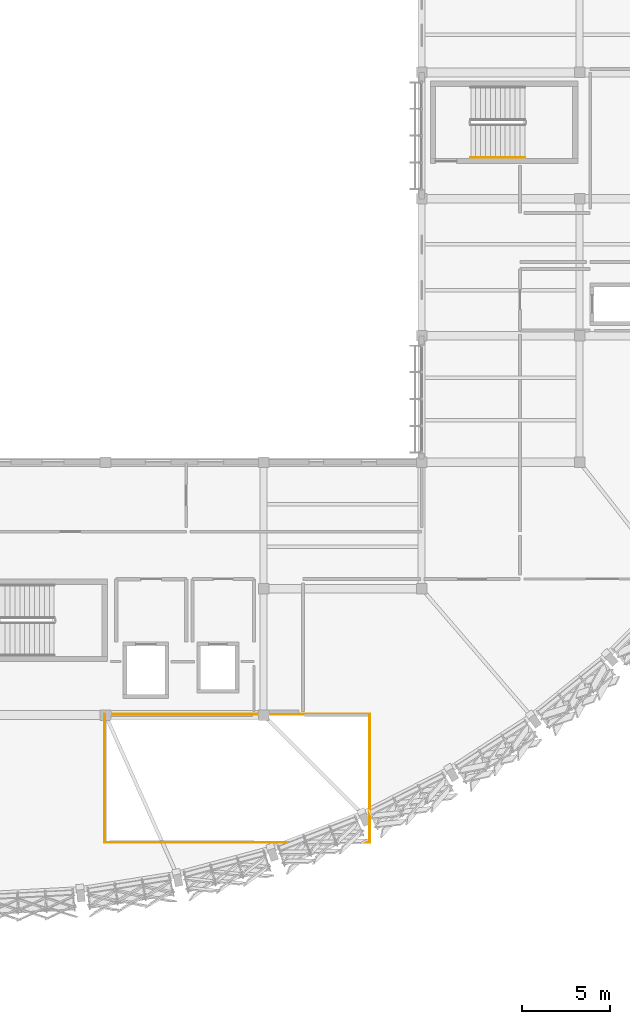
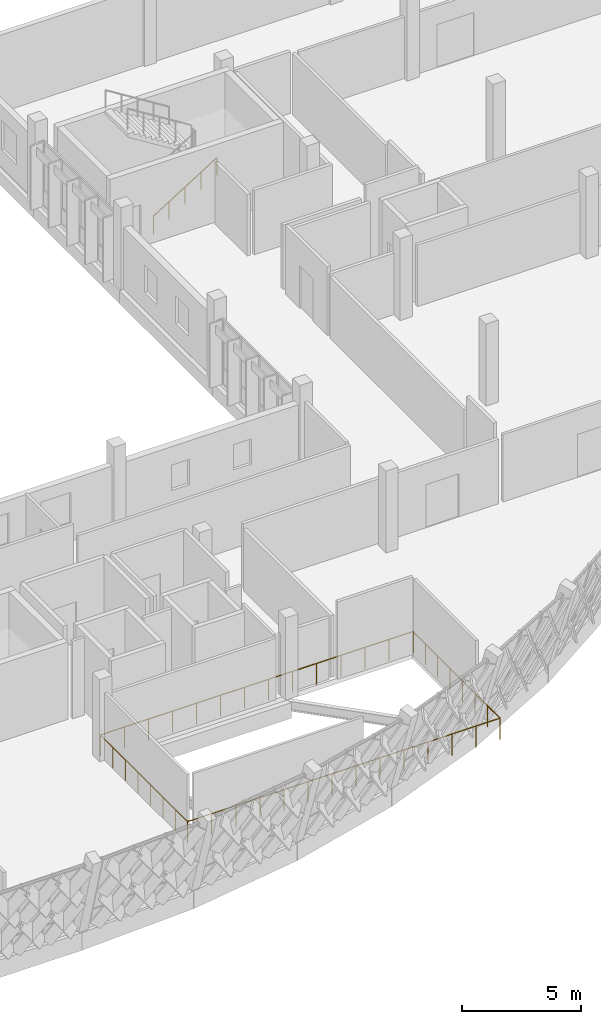
# One storey, part 106 of 107: 5 railings.
"""IFC4 building model written with IfcOpenShell, lengths in metres."""

from ifc_helpers import new_model, si_unit, direction, frame, origin, origin_2d, place, context, subcontext, project, spatial, circle, extrude, material, layer, layer_set, type_object, element, save


model = new_model("IFC4")

# Units and contexts
model_context = context("Model", 3, precision=1e-05, world=origin(), true_north=direction((0.0, 1.0)))
body_context = subcontext(model_context, "Body", "Model", "MODEL_VIEW")
ifc_project = project(units=[si_unit("LENGTHUNIT", "METRE"), si_unit("AREAUNIT", "SQUARE_METRE"), si_unit("VOLUMEUNIT", "CUBIC_METRE"), si_unit("PLANEANGLEUNIT", "RADIAN"), si_unit("MASSUNIT", "GRAM", prefix="KILO")], contexts=[model_context])

# Site, building, storey
site_placement = place(None, origin())
site = spatial("IfcSite", under=ifc_project, at=site_placement, CompositionType="ELEMENT")
building_placement = place(site_placement, origin())
building = spatial("IfcBuilding", under=site, at=building_placement, Name="Chiffa Square Polytechnic", CompositionType="ELEMENT")
storey_placement = place(building_placement, frame((0.0, 0.0, 13.800048828125)))
storey = spatial("IfcBuildingStorey", under=building, at=storey_placement, Name="L03", CompositionType="ELEMENT", Elevation=13.800048828125)

# Railings
ifc_material = material(Name="Steel S355", Category="steel")
ifc_layer_1 = layer(ifc_material, 0.050048828125, Name="Steel S355")
ifc_layer_set_1 = layer_set([ifc_layer_1], Name="Steel S355")
railing_type_1 = type_object("IfcRailingType", Name="RL-STAIR-GUARD", PredefinedType="GUARDRAIL", material=ifc_layer_set_1)
railing_1_placement = place(storey_placement, frame((130.14990234375, 7.14990234375, 0.0)))
element("IfcRailing", 1, at=railing_1_placement, inside=storey, type_object=railing_type_1, Name="Atrium void guard GR-VOID-V1-L03-1", PredefinedType="GUARDRAIL", context=body_context, shape_type="SweptSolid", body=[
    extrude(circle(Radius=0.02392578125, at=origin_2d()), frame((0.0, 0.0, 1.076171875), z_axis=(1.0, 0.0, 0.0), x_axis=(0.0, 1.0, 0.0)), (0.0, 0.0, 1.0), 15.10009765625),
    extrude(circle(Radius=0.02099609375, at=origin_2d()), origin(), (0.0, 0.0, 1.0), 1.052001953125),
    extrude(circle(Radius=0.02099609375, at=origin_2d()), frame((1.16162109375, 0.0, 0.0)), (0.0, 0.0, 1.0), 1.052001953125),
    extrude(circle(Radius=0.02099609375, at=origin_2d()), frame((2.322998046875, 0.0, 0.0)), (0.0, 0.0, 1.0), 1.052001953125),
    extrude(circle(Radius=0.02099609375, at=origin_2d()), frame((3.484619140625, 0.0, 0.0)), (0.0, 0.0, 1.0), 1.052001953125),
    extrude(circle(Radius=0.02099609375, at=origin_2d()), frame((4.646240234375, 0.0, 0.0)), (0.0, 0.0, 1.0), 1.052001953125),
    extrude(circle(Radius=0.02099609375, at=origin_2d()), frame((5.8076171875, 0.0, 0.0)), (0.0, 0.0, 1.0), 1.052001953125),
    extrude(circle(Radius=0.02099609375, at=origin_2d()), frame((6.96923828125, 0.0, 0.0)), (0.0, 0.0, 1.0), 1.052001953125),
    extrude(circle(Radius=0.02099609375, at=origin_2d()), frame((8.130859375, 0.0, 0.0)), (0.0, 0.0, 1.0), 1.052001953125),
    extrude(circle(Radius=0.02099609375, at=origin_2d()), frame((9.29248046875, 0.0, 0.0)), (0.0, 0.0, 1.0), 1.052001953125),
    extrude(circle(Radius=0.02099609375, at=origin_2d()), frame((10.453857421875, 0.0, 0.0)), (0.0, 0.0, 1.0), 1.052001953125),
    extrude(circle(Radius=0.02099609375, at=origin_2d()), frame((11.615478515625, 0.0, 0.0)), (0.0, 0.0, 1.0), 1.052001953125),
    extrude(circle(Radius=0.02099609375, at=origin_2d()), frame((12.777099609375, 0.0, 0.0)), (0.0, 0.0, 1.0), 1.052001953125),
    extrude(circle(Radius=0.02099609375, at=origin_2d()), frame((13.9384765625, 0.0, 0.0)), (0.0, 0.0, 1.0), 1.052001953125),
    extrude(circle(Radius=0.02099609375, at=origin_2d()), frame((15.10009765625, 0.0, 0.0)), (0.0, 0.0, 1.0), 1.052001953125),
])
railing_2_placement = place(storey_placement, frame((145.25, 7.14990234375, 0.0)))
element("IfcRailing", 2, at=railing_2_placement, inside=storey, type_object=railing_type_1, Name="Atrium void guard GR-VOID-V1-L03-2", PredefinedType="GUARDRAIL", context=body_context, shape_type="SweptSolid", body=[
    extrude(circle(Radius=0.02392578125, at=origin_2d()), frame((0.0, 0.0, 1.076171875), z_axis=(0.0, 1.0, 0.0), x_axis=(-1.0, 0.0, 0.0)), (0.0, 0.0, 1.0), 7.300048828125),
    extrude(circle(Radius=0.02099609375, at=origin_2d()), origin(), (0.0, 0.0, 1.0), 1.052001953125),
    extrude(circle(Radius=0.02099609375, at=origin_2d()), frame((0.0, 1.04296875, 0.0)), (0.0, 0.0, 1.0), 1.052001953125),
    extrude(circle(Radius=0.02099609375, at=origin_2d()), frame((0.0, 2.085693359375, 0.0)), (0.0, 0.0, 1.0), 1.052001953125),
    extrude(circle(Radius=0.02099609375, at=origin_2d()), frame((0.0, 3.128662109375, 0.0)), (0.0, 0.0, 1.0), 1.052001953125),
    extrude(circle(Radius=0.02099609375, at=origin_2d()), frame((0.0, 4.17138671875, 0.0)), (0.0, 0.0, 1.0), 1.052001953125),
    extrude(circle(Radius=0.02099609375, at=origin_2d()), frame((0.0, 5.21435546875, 0.0)), (0.0, 0.0, 1.0), 1.052001953125),
    extrude(circle(Radius=0.02099609375, at=origin_2d()), frame((0.0, 6.257080078125, 0.0)), (0.0, 0.0, 1.0), 1.052001953125),
    extrude(circle(Radius=0.02099609375, at=origin_2d()), frame((0.0, 7.300048828125, 0.0)), (0.0, 0.0, 1.0), 1.052001953125),
])
railing_3_placement = place(storey_placement, frame((145.25, 14.449951171875, 0.0)))
element("IfcRailing", 3, at=railing_3_placement, inside=storey, type_object=railing_type_1, Name="Atrium void guard GR-VOID-V1-L03-3", PredefinedType="GUARDRAIL", context=body_context, shape_type="SweptSolid", body=[
    extrude(circle(Radius=0.02392578125, at=origin_2d()), frame((0.0, 0.0, 1.076171875), z_axis=(-1.0, 0.0, 0.0), x_axis=(0.0, -1.0, 0.0)), (0.0, 0.0, 1.0), 15.10009765625),
    extrude(circle(Radius=0.02099609375, at=origin_2d()), origin(), (0.0, 0.0, 1.0), 1.052001953125),
    extrude(circle(Radius=0.02099609375, at=origin_2d()), frame((-1.16162109375, 0.0, 0.0)), (0.0, 0.0, 1.0), 1.052001953125),
    extrude(circle(Radius=0.02099609375, at=origin_2d()), frame((-2.322998046875, 0.0, 0.0)), (0.0, 0.0, 1.0), 1.052001953125),
    extrude(circle(Radius=0.02099609375, at=origin_2d()), frame((-3.484619140625, 0.0, 0.0)), (0.0, 0.0, 1.0), 1.052001953125),
    extrude(circle(Radius=0.02099609375, at=origin_2d()), frame((-4.646240234375, 0.0, 0.0)), (0.0, 0.0, 1.0), 1.052001953125),
    extrude(circle(Radius=0.02099609375, at=origin_2d()), frame((-5.8076171875, 0.0, 0.0)), (0.0, 0.0, 1.0), 1.052001953125),
    extrude(circle(Radius=0.02099609375, at=origin_2d()), frame((-6.96923828125, 0.0, 0.0)), (0.0, 0.0, 1.0), 1.052001953125),
    extrude(circle(Radius=0.02099609375, at=origin_2d()), frame((-8.130859375, 0.0, 0.0)), (0.0, 0.0, 1.0), 1.052001953125),
    extrude(circle(Radius=0.02099609375, at=origin_2d()), frame((-9.29248046875, 0.0, 0.0)), (0.0, 0.0, 1.0), 1.052001953125),
    extrude(circle(Radius=0.02099609375, at=origin_2d()), frame((-10.453857421875, 0.0, 0.0)), (0.0, 0.0, 1.0), 1.052001953125),
    extrude(circle(Radius=0.02099609375, at=origin_2d()), frame((-11.615478515625, 0.0, 0.0)), (0.0, 0.0, 1.0), 1.052001953125),
    extrude(circle(Radius=0.02099609375, at=origin_2d()), frame((-12.777099609375, 0.0, 0.0)), (0.0, 0.0, 1.0), 1.052001953125),
    extrude(circle(Radius=0.02099609375, at=origin_2d()), frame((-13.9384765625, 0.0, 0.0)), (0.0, 0.0, 1.0), 1.052001953125),
    extrude(circle(Radius=0.02099609375, at=origin_2d()), frame((-15.10009765625, 0.0, 0.0)), (0.0, 0.0, 1.0), 1.052001953125),
])
railing_4_placement = place(storey_placement, frame((130.14990234375, 14.449951171875, 0.0)))
element("IfcRailing", 4, at=railing_4_placement, inside=storey, type_object=railing_type_1, Name="Atrium void guard GR-VOID-V1-L03-4", PredefinedType="GUARDRAIL", context=body_context, shape_type="SweptSolid", body=[
    extrude(circle(Radius=0.02392578125, at=origin_2d()), frame((0.0, 0.0, 1.076171875), z_axis=(0.0, -1.0, 0.0), x_axis=(1.0, 0.0, 0.0)), (0.0, 0.0, 1.0), 7.300048828125),
    extrude(circle(Radius=0.02099609375, at=origin_2d()), origin(), (0.0, 0.0, 1.0), 1.052001953125),
    extrude(circle(Radius=0.02099609375, at=origin_2d()), frame((0.0, -1.04296875, 0.0)), (0.0, 0.0, 1.0), 1.052001953125),
    extrude(circle(Radius=0.02099609375, at=origin_2d()), frame((0.0, -2.085693359375, 0.0)), (0.0, 0.0, 1.0), 1.052001953125),
    extrude(circle(Radius=0.02099609375, at=origin_2d()), frame((0.0, -3.128662109375, 0.0)), (0.0, 0.0, 1.0), 1.052001953125),
    extrude(circle(Radius=0.02099609375, at=origin_2d()), frame((0.0, -4.17138671875, 0.0)), (0.0, 0.0, 1.0), 1.052001953125),
    extrude(circle(Radius=0.02099609375, at=origin_2d()), frame((0.0, -5.21435546875, 0.0)), (0.0, 0.0, 1.0), 1.052001953125),
    extrude(circle(Radius=0.02099609375, at=origin_2d()), frame((0.0, -6.257080078125, 0.0)), (0.0, 0.0, 1.0), 1.052001953125),
    extrude(circle(Radius=0.02099609375, at=origin_2d()), frame((0.0, -7.300048828125, 0.0)), (0.0, 0.0, 1.0), 1.052001953125),
])
ifc_layer_2 = layer(ifc_material, 0.044921875, Name="Steel S355")
ifc_layer_set_2 = layer_set([ifc_layer_2], Name="Steel S355")
railing_type_2 = type_object("IfcRailingType", Name="RL-STAIR-HAND", PredefinedType="HANDRAIL", material=ifc_layer_set_2)
railing_5_placement = place(storey_placement, frame((151.0, 46.14990234375, 0.175048828125)))
element("IfcRailing", 5, at=railing_5_placement, inside=storey, type_object=railing_type_2, Name="L03 ST-V1B stair handrail 1", PredefinedType="HANDRAIL", context=body_context, shape_type="SweptSolid", body=[
    extrude(circle(Radius=0.02392578125, at=origin_2d()), frame((0.0, 0.0, 0.89599609375), z_axis=(0.848028513186, 0.0, 0.529950602248), x_axis=(0.0, 1.0, 0.0)), (0.0, 0.0, 1.0), 3.632080078125),
    extrude(circle(Radius=0.02099609375, at=origin_2d()), origin(), (0.0, 0.0, 1.0), 0.871826171875),
    extrude(circle(Radius=0.02099609375, at=origin_2d()), frame((0.77001953125, 0.0, 0.481201171875)), (0.0, 0.0, 1.0), 0.871826171875),
    extrude(circle(Radius=0.02099609375, at=origin_2d()), frame((1.5400390625, 0.0, 0.96240234375)), (0.0, 0.0, 1.0), 0.871826171875),
    extrude(circle(Radius=0.02099609375, at=origin_2d()), frame((2.31005859375, 0.0, 1.443603515625)), (0.0, 0.0, 1.0), 0.871826171875),
    extrude(circle(Radius=0.02099609375, at=origin_2d()), frame((3.080078125, 0.0, 1.9248046875)), (0.0, 0.0, 1.0), 0.871826171875),
])

save(model, "model.ifc")
